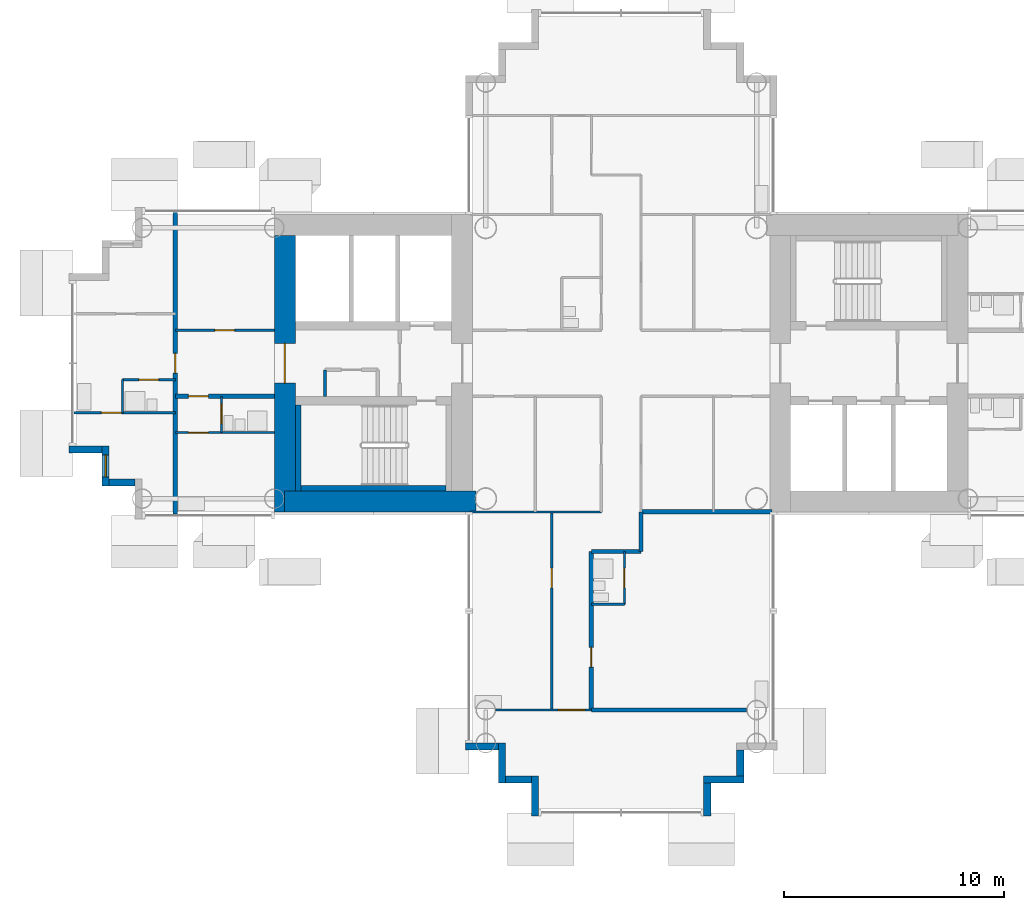
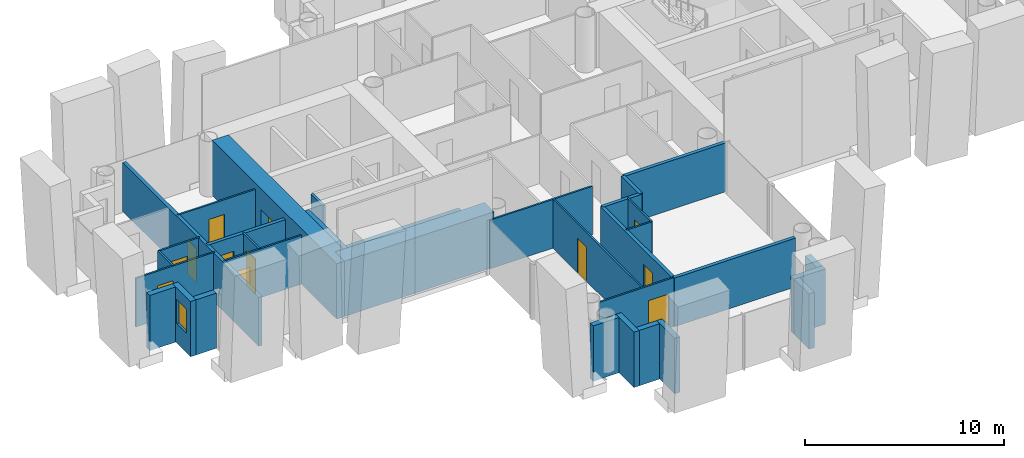
# One storey, part 8 of 21: 33 walls, 12 doors, 1 window, 13 openings.
"""IFC4 building model written with IfcOpenShell, lengths in metres."""

from ifc_helpers import new_model, si_unit, direction, frame, frame_2d, origin, place, context, subcontext, project, spatial, rectangle, extrude, material, layer, layer_set, type_object, element, fill, save


model = new_model("IFC4")

# Units and contexts
model_context = context("Model", 3, precision=1e-05, world=origin(), true_north=direction((0.0, 1.0)))
body_context = subcontext(model_context, "Body", "Model", "MODEL_VIEW")
ifc_project = project(units=[si_unit("LENGTHUNIT", "METRE"), si_unit("AREAUNIT", "SQUARE_METRE"), si_unit("VOLUMEUNIT", "CUBIC_METRE"), si_unit("PLANEANGLEUNIT", "RADIAN"), si_unit("MASSUNIT", "GRAM", prefix="KILO")], contexts=[model_context])

# Site, building, storey
site_placement = place(None, origin())
site = spatial("IfcSite", under=ifc_project, at=site_placement, CompositionType="ELEMENT")
building_placement = place(site_placement, origin())
building = spatial("IfcBuilding", under=site, at=building_placement, Name="Ipe Terrace Towers", CompositionType="ELEMENT")
storey_placement = place(building_placement, frame((0.0, 0.0, 114.0)))
storey = spatial("IfcBuildingStorey", under=building, at=storey_placement, Name="L31", CompositionType="ELEMENT", Elevation=114.0)

# Wall
ifc_material_1 = material(Name="Concrete C40/50 with buff precast cladding", Category="concrete")
ifc_layer_1 = layer(ifc_material_1, 0.320068359375)
ifc_layer_set_1 = layer_set([ifc_layer_1], Name="BUFF CLADDING WALL 320")
wall_type_1 = type_object("IfcWallType", Name="BUFF CLADDING WALL 320", PredefinedType="STANDARD", material=ifc_layer_set_1)
wall_1_placement = place(storey_placement, frame((-61.070068359375, -3.909912109375, -0.300048828125), z_axis=(0.0, 0.0, 1.0), x_axis=(1.0, 0.0, 0.0)))
element("IfcWall", 1, at=wall_1_placement, inside=storey, type_object=wall_type_1, Name="T1-W-L31-00a wall", PredefinedType="STANDARD", context=body_context, shape_type="SweptSolid", body=[
    extrude(rectangle(XDim=1.5, YDim=0.320068359375, at=frame_2d((0.75, 0.0))), origin(), (0.0, 0.0, 1.0), 3.400146484375),
])

# Wall, opening, window
wall_2_placement = place(storey_placement, frame((-59.409912109375, -3.75, -0.300048828125), z_axis=(0.0, 0.0, 1.0), x_axis=(0.0, -1.0, 0.0)))
wall_2 = element("IfcWall", 2, at=wall_2_placement, inside=storey, type_object=wall_type_1, Name="T1-W-L31-01a wall", PredefinedType="STANDARD", context=body_context, shape_type="SweptSolid", body=[
    extrude(rectangle(XDim=1.820068359375, YDim=0.320068359375, at=frame_2d((0.91015625, 0.0))), origin(), (0.0, 0.0, 1.0), 3.400146484375),
])
opening_1_placement = place(wall_2_placement, frame((0.409912109375, 0.0, 1.199951171875)))
opening_1 = element("IfcOpeningElement", 3, at=opening_1_placement, cuts=wall_2, Name="Opening T1-W-05-L31-01", PredefinedType="OPENING", context=body_context, shape_type="SweptSolid", body=[
    extrude(rectangle(XDim=1.0, YDim=1.5, at=frame_2d((0.5, 0.75))), frame((0.0, 0.169921875, 0.0), z_axis=(0.0, -1.0, 0.0), x_axis=(1.0, 0.0, 0.0)), (0.0, 0.0, 1.0), 0.340087890625),
])
ifc_material_2 = material(Name="Glass, clear laminated", Category="glass")
window_type = type_object("IfcWindowType", Name="DWELLING WINDOW 1000 x 1500", PartitioningType="SINGLE_PANEL", PredefinedType="WINDOW", material=ifc_material_2)
window_placement = place(opening_1_placement, origin())
window = element("IfcWindow", 4, at=window_placement, inside=storey, type_object=window_type, Name="W-05 window", OverallHeight=1.5, OverallWidth=1.0, PartitioningType="SINGLE_PANEL", PredefinedType="WINDOW", context=body_context, shape_type="SweptSolid", body=[
    extrude(rectangle(XDim=1.0, YDim=1.5, at=frame_2d((0.5, 0.75))), frame((0.0, 0.030029296875, 0.0), z_axis=(0.0, -1.0, 0.0), x_axis=(1.0, 0.0, 0.0)), (0.0, 0.0, 1.0), 0.06005859375),
])
fill(opening_1, window)

# Walls
wall_3_placement = place(storey_placement, frame((-59.25, -5.409912109375, -0.300048828125), z_axis=(0.0, 0.0, 1.0), x_axis=(1.0, 0.0, 0.0)))
element("IfcWall", 5, at=wall_3_placement, inside=storey, type_object=wall_type_1, Name="T1-W-L31-02a wall", PredefinedType="STANDARD", context=body_context, shape_type="SweptSolid", body=[
    extrude(rectangle(XDim=1.179931640625, YDim=0.320068359375, at=frame_2d((0.58984375, 0.0))), origin(), (0.0, 0.0, 1.0), 3.400146484375),
])
wall_4_placement = place(storey_placement, frame((-43.070068359375, -17.409912109375, -0.300048828125), z_axis=(0.0, 0.0, 1.0), x_axis=(1.0, 0.0, 0.0)))
element("IfcWall", 6, at=wall_4_placement, inside=storey, type_object=wall_type_1, Name="T1-W-L31-08a wall", PredefinedType="STANDARD", context=body_context, shape_type="SweptSolid", body=[
    extrude(rectangle(XDim=1.5, YDim=0.320068359375, at=frame_2d((0.75, 0.0))), origin(), (0.0, 0.0, 1.0), 3.400146484375),
])
wall_5_placement = place(storey_placement, frame((-41.409912109375, -17.25, -0.300048828125), z_axis=(0.0, 0.0, 1.0), x_axis=(0.0, -1.0, 0.0)))
element("IfcWall", 7, at=wall_5_placement, inside=storey, type_object=wall_type_1, Name="T1-W-L31-09a wall", PredefinedType="STANDARD", context=body_context, shape_type="SweptSolid", body=[
    extrude(rectangle(XDim=1.820068359375, YDim=0.320068359375, at=frame_2d((0.91015625, 0.0))), origin(), (0.0, 0.0, 1.0), 3.400146484375),
])
wall_6_placement = place(storey_placement, frame((-41.25, -18.909912109375, -0.300048828125), z_axis=(0.0, 0.0, 1.0), x_axis=(1.0, 0.0, 0.0)))
element("IfcWall", 8, at=wall_6_placement, inside=storey, type_object=wall_type_1, Name="T1-W-L31-10a wall", PredefinedType="STANDARD", context=body_context, shape_type="SweptSolid", body=[
    extrude(rectangle(XDim=1.179931640625, YDim=0.320068359375, at=frame_2d((0.58984375, 0.0))), origin(), (0.0, 0.0, 1.0), 3.400146484375),
])
wall_7_placement = place(storey_placement, frame((-39.909912109375, -18.75, -0.300048828125), z_axis=(0.0, 0.0, 1.0), x_axis=(0.0, -1.0, 0.0)))
element("IfcWall", 9, at=wall_7_placement, inside=storey, type_object=wall_type_1, Name="T1-W-L31-11a wall", PredefinedType="STANDARD", context=body_context, shape_type="SweptSolid", body=[
    extrude(rectangle(XDim=1.820068359375, YDim=0.320068359375, at=frame_2d((0.91015625, 0.0))), origin(), (0.0, 0.0, 1.0), 3.400146484375),
])
wall_8_placement = place(storey_placement, frame((-32.090087890625, -20.570068359375, -0.300048828125), z_axis=(0.0, 0.0, 1.0), x_axis=(0.0, 1.0, 0.0)))
element("IfcWall", 10, at=wall_8_placement, inside=storey, type_object=wall_type_1, Name="T1-W-L31-13a wall", PredefinedType="STANDARD", context=body_context, shape_type="SweptSolid", body=[
    extrude(rectangle(XDim=1.5, YDim=0.320068359375, at=frame_2d((0.75, 0.0))), origin(), (0.0, 0.0, 1.0), 3.400146484375),
])
wall_9_placement = place(storey_placement, frame((-32.25, -18.909912109375, -0.300048828125), z_axis=(0.0, 0.0, 1.0), x_axis=(1.0, 0.0, 0.0)))
element("IfcWall", 11, at=wall_9_placement, inside=storey, type_object=wall_type_1, Name="T1-W-L31-14a wall", PredefinedType="STANDARD", context=body_context, shape_type="SweptSolid", body=[
    extrude(rectangle(XDim=1.820068359375, YDim=0.320068359375, at=frame_2d((0.91015625, 0.0))), origin(), (0.0, 0.0, 1.0), 3.400146484375),
])
wall_10_placement = place(storey_placement, frame((-30.590087890625, -18.75, -0.300048828125), z_axis=(0.0, 0.0, 1.0), x_axis=(0.0, 1.0, 0.0)))
element("IfcWall", 12, at=wall_10_placement, inside=storey, type_object=wall_type_1, Name="T1-W-L31-15a wall", PredefinedType="STANDARD", context=body_context, shape_type="SweptSolid", body=[
    extrude(rectangle(XDim=1.179931640625, YDim=0.320068359375, at=frame_2d((0.58984375, 0.0))), origin(), (0.0, 0.0, 1.0), 3.400146484375),
])
ifc_material_3 = material(Name="Gypsum board partition", Category="plasterboard")
ifc_layer_2 = layer(ifc_material_3, 0.10009765625)
ifc_layer_set_2 = layer_set([ifc_layer_2], Name="Gypsum board partition 100 mm")
wall_type_2 = type_object("IfcWallType", Name="Gypsum board partition 100 mm", PredefinedType="PARTITIONING", material=ifc_layer_set_2)
wall_11_placement = place(storey_placement, frame((-58.64990234375, -2.25, 0.0), z_axis=(0.0, 0.0, 1.0), x_axis=(0.0, 1.0, 0.0)))
element("IfcWall", 13, at=wall_11_placement, inside=storey, type_object=wall_type_2, Name="Gypsum board partition T1 L31 W01", PredefinedType="PARTITIONING", context=body_context, shape_type="SweptSolid", body=[
    extrude(rectangle(XDim=1.5, YDim=0.10009765625, at=frame_2d((0.75, 0.0))), origin(), (0.0, 0.0, 1.0), 3.0),
])

# Wall, opening, door
wall_12_placement = place(storey_placement, frame((-54.14990234375, -3.14990234375, 0.0), z_axis=(0.0, 0.0, 1.0), x_axis=(0.0, 1.0, 0.0)))
wall_12 = element("IfcWall", 14, at=wall_12_placement, inside=storey, type_object=wall_type_2, Name="Gypsum board partition T1 L31 W03", PredefinedType="PARTITIONING", context=body_context, shape_type="SweptSolid", body=[
    extrude(rectangle(XDim=1.64990234375, YDim=0.10009765625, at=frame_2d((0.824951171875, 0.0))), origin(), (0.0, 0.0, 1.0), 3.0),
])
opening_2_placement = place(wall_12_placement, frame((0.39990234375, 0.0, 0.0)))
opening_2 = element("IfcOpeningElement", 15, at=opening_2_placement, cuts=wall_12, Name="Opening T1-Z2F-24", PredefinedType="OPENING", context=body_context, shape_type="SweptSolid", body=[
    extrude(rectangle(XDim=0.89990234375, YDim=2.10009765625, at=frame_2d((0.449951171875, 1.050048828125))), frame((0.0, 0.06005859375, 0.0), z_axis=(0.0, -1.0, 0.0), x_axis=(1.0, 0.0, 0.0)), (0.0, 0.0, 1.0), 0.1201171875),
])
ifc_material_4 = material(Name="Timber door leaf", Category="wood")
door_type_1 = type_object("IfcDoorType", Name="Bathroom door 900 x 2100", OperationType="NOTDEFINED", PredefinedType="DOOR", material=ifc_material_4)
door_1_placement = place(opening_2_placement, origin())
door_1 = element("IfcDoor", 16, at=door_1_placement, inside=storey, type_object=door_type_1, Name="Bathroom door T1-Z2F-24", OperationType="SINGLE_SWING_RIGHT", OverallHeight=2.10009765625, OverallWidth=0.89990234375, PredefinedType="DOOR", context=body_context, shape_type="SweptSolid", body=[
    extrude(rectangle(XDim=0.89990234375, YDim=2.10009765625, at=frame_2d((0.449951171875, 1.050048828125))), frame((0.0, 0.02490234375, 0.0), z_axis=(0.0, -1.0, 0.0), x_axis=(1.0, 0.0, 0.0)), (0.0, 0.0, 1.0), 0.050048828125),
])
fill(opening_2, door_1)

wall_13_placement = place(storey_placement, frame((-39.14990234375, -15.75, 0.0), z_axis=(0.0, 0.0, 1.0), x_axis=(0.0, 1.0, 0.0)))
wall_13 = element("IfcWall", 17, at=wall_13_placement, inside=storey, type_object=wall_type_2, Name="Gypsum board partition T1 L31 W05", PredefinedType="PARTITIONING", context=body_context, shape_type="SweptSolid", body=[
    extrude(rectangle(XDim=9.0, YDim=0.10009765625, at=frame_2d((4.5, 0.0))), origin(), (0.0, 0.0, 1.0), 3.0),
])
opening_3_placement = place(wall_13_placement, frame((5.550048828125, 0.0, 0.0)))
opening_3 = element("IfcOpeningElement", 18, at=opening_3_placement, cuts=wall_13, Name="Opening T1-Z2F-14", PredefinedType="OPENING", context=body_context, shape_type="SweptSolid", body=[
    extrude(rectangle(XDim=0.89990234375, YDim=2.10009765625, at=frame_2d((0.449951171875, 1.050048828125))), frame((0.0, 0.06005859375, 0.0), z_axis=(0.0, -1.0, 0.0), x_axis=(1.0, 0.0, 0.0)), (0.0, 0.0, 1.0), 0.1201171875),
])
ifc_material_5 = material(Name="Timber door leaf", Category="wood")
door_type_2 = type_object("IfcDoorType", Name="Lounge door 900 x 2100", OperationType="NOTDEFINED", PredefinedType="DOOR", material=ifc_material_5)
door_2_placement = place(opening_3_placement, origin())
door_2 = element("IfcDoor", 19, at=door_2_placement, inside=storey, type_object=door_type_2, Name="Lounge door T1-Z2F-14", OperationType="SINGLE_SWING_LEFT", OverallHeight=2.10009765625, OverallWidth=0.89990234375, PredefinedType="DOOR", context=body_context, shape_type="SweptSolid", body=[
    extrude(rectangle(XDim=0.89990234375, YDim=2.10009765625, at=frame_2d((0.449951171875, 1.050048828125))), frame((0.0, 0.02490234375, 0.0), z_axis=(0.0, -1.0, 0.0), x_axis=(1.0, 0.0, 0.0)), (0.0, 0.0, 1.0), 0.050048828125),
])
fill(opening_3, door_2)

wall_14_placement = place(storey_placement, frame((-35.85009765625, -10.949951171875, 0.0), z_axis=(0.0, 0.0, 1.0), x_axis=(0.0, 1.0, 0.0)))
wall_14 = element("IfcWall", 20, at=wall_14_placement, inside=storey, type_object=wall_type_2, Name="Gypsum board partition T1 L31 W12", PredefinedType="PARTITIONING", context=body_context, shape_type="SweptSolid", body=[
    extrude(rectangle(XDim=2.39990234375, YDim=0.10009765625, at=frame_2d((1.199951171875, 0.0))), origin(), (0.0, 0.0, 1.0), 3.0),
])
opening_4_placement = place(wall_14_placement, frame((0.75, 0.0, 0.0)))
opening_4 = element("IfcOpeningElement", 21, at=opening_4_placement, cuts=wall_14, Name="Opening T1-Z2F-13", PredefinedType="OPENING", context=body_context, shape_type="SweptSolid", body=[
    extrude(rectangle(XDim=0.89990234375, YDim=2.10009765625, at=frame_2d((0.449951171875, 1.050048828125))), frame((0.0, 0.06005859375, 0.0), z_axis=(0.0, -1.0, 0.0), x_axis=(1.0, 0.0, 0.0)), (0.0, 0.0, 1.0), 0.1201171875),
])
door_3_placement = place(opening_4_placement, origin())
door_3 = element("IfcDoor", 22, at=door_3_placement, inside=storey, type_object=door_type_1, Name="Bathroom door T1-Z2F-13", OperationType="SINGLE_SWING_LEFT", OverallHeight=2.10009765625, OverallWidth=0.89990234375, PredefinedType="DOOR", context=body_context, shape_type="SweptSolid", body=[
    extrude(rectangle(XDim=0.89990234375, YDim=2.10009765625, at=frame_2d((0.449951171875, 1.050048828125))), frame((0.0, 0.02490234375, 0.0), z_axis=(0.0, -1.0, 0.0), x_axis=(1.0, 0.0, 0.0)), (0.0, 0.0, 1.0), 0.050048828125),
])
fill(opening_4, door_3)

wall_15_placement = place(storey_placement, frame((-41.699951171875, -15.75, 0.0), z_axis=(0.0, 0.0, 1.0), x_axis=(1.0, 0.0, 0.0)))
wall_15 = element("IfcWall", 23, at=wall_15_placement, inside=storey, type_object=wall_type_2, Name="Gypsum board partition T1 L31 W23", PredefinedType="PARTITIONING", context=body_context, shape_type="SweptSolid", body=[
    extrude(rectangle(XDim=4.349853515625, YDim=0.10009765625, at=frame_2d((2.1748046875, 0.0))), origin(), (0.0, 0.0, 1.0), 3.0),
])
opening_5_placement = place(wall_15_placement, frame((2.85009765625, 0.0, 0.0)))
opening_5 = element("IfcOpeningElement", 24, at=opening_5_placement, cuts=wall_15, Name="Opening T1-Z2F-15", PredefinedType="OPENING", context=body_context, shape_type="SweptSolid", body=[
    extrude(rectangle(XDim=1.199951171875, YDim=2.10009765625, at=frame_2d((0.60009765625, 1.050048828125))), frame((0.0, 0.06005859375, 0.0), z_axis=(0.0, -1.0, 0.0), x_axis=(1.0, 0.0, 0.0)), (0.0, 0.0, 1.0), 0.1201171875),
])
ifc_material_6 = material(Name="Timber door leaf", Category="wood")
door_type_3 = type_object("IfcDoorType", Name="Lounge door 1200 x 2100", OperationType="NOTDEFINED", PredefinedType="DOOR", material=ifc_material_6)
door_4_placement = place(opening_5_placement, origin())
door_4 = element("IfcDoor", 25, at=door_4_placement, inside=storey, type_object=door_type_3, Name="Lounge door T1-Z2F-15", OperationType="SINGLE_SWING_RIGHT", OverallHeight=2.10009765625, OverallWidth=1.199951171875, PredefinedType="DOOR", context=body_context, shape_type="SweptSolid", body=[
    extrude(rectangle(XDim=1.199951171875, YDim=2.10009765625, at=frame_2d((0.60009765625, 1.050048828125))), frame((0.0, 0.02490234375, 0.0), z_axis=(0.0, -1.0, 0.0), x_axis=(1.0, 0.0, 0.0)), (0.0, 0.0, 1.0), 0.050048828125),
])
fill(opening_5, door_4)

# Walls
wall_16_placement = place(storey_placement, frame((-37.35009765625, -10.949951171875, 0.0), z_axis=(0.0, 0.0, 1.0), x_axis=(1.0, 0.0, 0.0)))
element("IfcWall", 26, at=wall_16_placement, inside=storey, type_object=wall_type_2, Name="Gypsum board partition T1 L31 W25", PredefinedType="PARTITIONING", context=body_context, shape_type="SweptSolid", body=[
    extrude(rectangle(XDim=1.5, YDim=0.10009765625, at=frame_2d((0.75, 0.0))), origin(), (0.0, 0.0, 1.0), 3.0),
])
wall_17_placement = place(storey_placement, frame((-42.85009765625, -6.75, 0.0), z_axis=(0.0, 0.0, 1.0), x_axis=(1.0, 0.0, 0.0)))
element("IfcWall", 27, at=wall_17_placement, inside=storey, type_object=wall_type_2, Name="Gypsum board partition T1 L31 W27", PredefinedType="PARTITIONING", context=body_context, shape_type="SweptSolid", body=[
    extrude(rectangle(XDim=5.9501953125, YDim=0.10009765625, at=frame_2d((2.97509765625, 0.0))), origin(), (0.0, 0.0, 1.0), 3.0),
])

# Wall, opening, door
wall_18_placement = place(storey_placement, frame((-56.25, -3.14990234375, 0.0), z_axis=(0.0, 0.0, 1.0), x_axis=(1.0, 0.0, 0.0)))
wall_18 = element("IfcWall", 28, at=wall_18_placement, inside=storey, type_object=wall_type_2, Name="Gypsum board partition T1 L31 W29", PredefinedType="PARTITIONING", context=body_context, shape_type="SweptSolid", body=[
    extrude(rectangle(XDim=4.5, YDim=0.10009765625, at=frame_2d((2.25, 0.0))), origin(), (0.0, 0.0, 1.0), 3.0),
])
opening_6_placement = place(wall_18_placement, frame((0.60009765625, 0.0, 0.0)))
opening_6 = element("IfcOpeningElement", 29, at=opening_6_placement, cuts=wall_18, Name="Opening T1-Z2F-23", PredefinedType="OPENING", context=body_context, shape_type="SweptSolid", body=[
    extrude(rectangle(XDim=0.89990234375, YDim=2.10009765625, at=frame_2d((0.449951171875, 1.050048828125))), frame((0.0, 0.06005859375, 0.0), z_axis=(0.0, -1.0, 0.0), x_axis=(1.0, 0.0, 0.0)), (0.0, 0.0, 1.0), 0.1201171875),
])
ifc_material_7 = material(Name="Timber door leaf", Category="wood")
door_type_4 = type_object("IfcDoorType", Name="Bedroom door 900 x 2100", OperationType="NOTDEFINED", PredefinedType="DOOR", material=ifc_material_7)
door_5_placement = place(opening_6_placement, origin())
door_5 = element("IfcDoor", 30, at=door_5_placement, inside=storey, type_object=door_type_4, Name="Bedroom door T1-Z2F-23", OperationType="SINGLE_SWING_LEFT", OverallHeight=2.10009765625, OverallWidth=0.89990234375, PredefinedType="DOOR", context=body_context, shape_type="SweptSolid", body=[
    extrude(rectangle(XDim=0.89990234375, YDim=2.10009765625, at=frame_2d((0.449951171875, 1.050048828125))), frame((0.0, 0.02490234375, 0.0), z_axis=(0.0, -1.0, 0.0), x_axis=(1.0, 0.0, 0.0)), (0.0, 0.0, 1.0), 0.050048828125),
])
fill(opening_6, door_5)

wall_19_placement = place(storey_placement, frame((-60.85009765625, -2.25, 0.0), z_axis=(0.0, 0.0, 1.0), x_axis=(1.0, 0.0, 0.0)))
wall_19 = element("IfcWall", 31, at=wall_19_placement, inside=storey, type_object=wall_type_2, Name="Gypsum board partition T1 L31 W31", PredefinedType="PARTITIONING", context=body_context, shape_type="SweptSolid", body=[
    extrude(rectangle(XDim=4.60009765625, YDim=0.10009765625, at=frame_2d((2.300048828125, 0.0))), origin(), (0.0, 0.0, 1.0), 3.0),
])
opening_7_placement = place(wall_19_placement, frame((1.25, 0.0, 0.0)))
opening_7 = element("IfcOpeningElement", 32, at=opening_7_placement, cuts=wall_19, Name="Opening T1-Z2F-28", PredefinedType="OPENING", context=body_context, shape_type="SweptSolid", body=[
    extrude(rectangle(XDim=0.89990234375, YDim=2.10009765625, at=frame_2d((0.449951171875, 1.050048828125))), frame((0.0, 0.06005859375, 0.0), z_axis=(0.0, -1.0, 0.0), x_axis=(1.0, 0.0, 0.0)), (0.0, 0.0, 1.0), 0.1201171875),
])
door_6_placement = place(opening_7_placement, origin())
door_6 = element("IfcDoor", 33, at=door_6_placement, inside=storey, type_object=door_type_4, Name="Bedroom door T1-Z2F-28", OperationType="SINGLE_SWING_LEFT", OverallHeight=2.10009765625, OverallWidth=0.89990234375, PredefinedType="DOOR", context=body_context, shape_type="SweptSolid", body=[
    extrude(rectangle(XDim=0.89990234375, YDim=2.10009765625, at=frame_2d((0.449951171875, 1.050048828125))), frame((0.0, 0.02490234375, 0.0), z_axis=(0.0, -1.0, 0.0), x_axis=(1.0, 0.0, 0.0)), (0.0, 0.0, 1.0), 0.050048828125),
])
fill(opening_7, door_6)

wall_20_placement = place(storey_placement, frame((-58.64990234375, -0.75, 0.0), z_axis=(0.0, 0.0, 1.0), x_axis=(1.0, 0.0, 0.0)))
wall_20 = element("IfcWall", 34, at=wall_20_placement, inside=storey, type_object=wall_type_2, Name="Gypsum board partition T1 L31 W36", PredefinedType="PARTITIONING", context=body_context, shape_type="SweptSolid", body=[
    extrude(rectangle(XDim=2.39990234375, YDim=0.10009765625, at=frame_2d((1.199951171875, 0.0))), origin(), (0.0, 0.0, 1.0), 3.0),
])
opening_8_placement = place(wall_20_placement, frame((0.75, 0.0, 0.0)))
opening_8 = element("IfcOpeningElement", 35, at=opening_8_placement, cuts=wall_20, Name="Opening T1-Z2F-26", PredefinedType="OPENING", context=body_context, shape_type="SweptSolid", body=[
    extrude(rectangle(XDim=0.89990234375, YDim=2.10009765625, at=frame_2d((0.449951171875, 1.050048828125))), frame((0.0, 0.06005859375, 0.0), z_axis=(0.0, -1.0, 0.0), x_axis=(1.0, 0.0, 0.0)), (0.0, 0.0, 1.0), 0.1201171875),
])
door_7_placement = place(opening_8_placement, origin())
door_7 = element("IfcDoor", 36, at=door_7_placement, inside=storey, type_object=door_type_1, Name="Bathroom door T1-Z2F-26", OperationType="SINGLE_SWING_RIGHT", OverallHeight=2.10009765625, OverallWidth=0.89990234375, PredefinedType="DOOR", context=body_context, shape_type="SweptSolid", body=[
    extrude(rectangle(XDim=0.89990234375, YDim=2.10009765625, at=frame_2d((0.449951171875, 1.050048828125))), frame((0.0, 0.02490234375, 0.0), z_axis=(0.0, -1.0, 0.0), x_axis=(1.0, 0.0, 0.0)), (0.0, 0.0, 1.0), 0.050048828125),
])
fill(opening_8, door_7)

wall_21_placement = place(storey_placement, frame((-56.25, 1.5, 0.0), z_axis=(0.0, 0.0, 1.0), x_axis=(1.0, 0.0, 0.0)))
wall_21 = element("IfcWall", 37, at=wall_21_placement, inside=storey, type_object=wall_type_2, Name="Gypsum board partition T1 L31 W37", PredefinedType="PARTITIONING", context=body_context, shape_type="SweptSolid", body=[
    extrude(rectangle(XDim=4.5, YDim=0.10009765625, at=frame_2d((2.25, 0.0))), origin(), (0.0, 0.0, 1.0), 3.0),
])
opening_9_placement = place(wall_21_placement, frame((1.800048828125, 0.0, 0.0)))
opening_9 = element("IfcOpeningElement", 38, at=opening_9_placement, cuts=wall_21, Name="Opening T1-Z2F-25", PredefinedType="OPENING", context=body_context, shape_type="SweptSolid", body=[
    extrude(rectangle(XDim=0.89990234375, YDim=2.10009765625, at=frame_2d((0.449951171875, 1.050048828125))), frame((0.0, 0.06005859375, 0.0), z_axis=(0.0, -1.0, 0.0), x_axis=(1.0, 0.0, 0.0)), (0.0, 0.0, 1.0), 0.1201171875),
])
door_8_placement = place(opening_9_placement, origin())
door_8 = element("IfcDoor", 39, at=door_8_placement, inside=storey, type_object=door_type_2, Name="Lounge door T1-Z2F-25", OperationType="SINGLE_SWING_LEFT", OverallHeight=2.10009765625, OverallWidth=0.89990234375, PredefinedType="DOOR", context=body_context, shape_type="SweptSolid", body=[
    extrude(rectangle(XDim=0.89990234375, YDim=2.10009765625, at=frame_2d((0.449951171875, 1.050048828125))), frame((0.0, 0.02490234375, 0.0), z_axis=(0.0, -1.0, 0.0), x_axis=(1.0, 0.0, 0.0)), (0.0, 0.0, 1.0), 0.050048828125),
])
fill(opening_9, door_8)

# Wall
ifc_material_8 = material(Name="Gypsum board partition", Category="plasterboard")
ifc_layer_3 = layer(ifc_material_8, 0.14990234375)
ifc_layer_set_3 = layer_set([ifc_layer_3], Name="Gypsum board partition 150 mm")
wall_type_3 = type_object("IfcWallType", Name="Gypsum board partition 150 mm", PredefinedType="PARTITIONING", material=ifc_layer_set_3)
wall_22_placement = place(storey_placement, frame((-49.449951171875, -0.300048828125, 0.0), z_axis=(0.0, 0.0, 1.0), x_axis=(0.0, -1.0, 0.0)))
element("IfcWall", 40, at=wall_22_placement, inside=storey, type_object=wall_type_3, Name="Gypsum board partition T1 L31 t1c2-cup-n-b", PredefinedType="PARTITIONING", context=body_context, shape_type="SweptSolid", body=[
    extrude(rectangle(XDim=1.199951171875, YDim=0.14990234375, at=frame_2d((0.60009765625, 0.0))), origin(), (0.0, 0.0, 1.0), 3.0),
])

# Wall, opening, door
ifc_material_9 = material(Name="Gypsum board party wall", Category="plasterboard")
ifc_layer_4 = layer(ifc_material_9, 0.199951171875)
ifc_layer_set_4 = layer_set([ifc_layer_4], Name="Gypsum board party wall 200 mm")
wall_type_4 = type_object("IfcWallType", Name="Gypsum board party wall 200 mm", PredefinedType="SOLIDWALL", material=ifc_layer_set_4)
wall_23_placement = place(storey_placement, frame((-56.25, -6.85009765625, 0.0), z_axis=(0.0, 0.0, 1.0), x_axis=(0.0, 1.0, 0.0)))
wall_23 = element("IfcWall", 41, at=wall_23_placement, inside=storey, type_object=wall_type_4, Name="Gypsum board party wall T1 L31 W02", PredefinedType="SOLIDWALL", context=body_context, shape_type="SweptSolid", body=[
    extrude(rectangle(XDim=13.7001953125, YDim=0.199951171875, at=frame_2d((6.85009765625, 0.0))), origin(), (0.0, 0.0, 1.0), 3.0),
])
opening_10_placement = place(wall_23_placement, frame((6.39990234375, 0.0, 0.0)))
opening_10 = element("IfcOpeningElement", 42, at=opening_10_placement, cuts=wall_23, Name="Opening T1-Z2F-27", PredefinedType="OPENING", context=body_context, shape_type="SweptSolid", body=[
    extrude(rectangle(XDim=0.89990234375, YDim=2.10009765625, at=frame_2d((0.449951171875, 1.050048828125))), frame((0.0, 0.10986328125, 0.0), z_axis=(0.0, -1.0, 0.0), x_axis=(1.0, 0.0, 0.0)), (0.0, 0.0, 1.0), 0.219970703125),
])
ifc_material_10 = material(Name="Fire-rated timber door leaf", Category="wood")
door_type_5 = type_object("IfcDoorType", Name="Flat entrance door 900 x 2100 FD30S", OperationType="NOTDEFINED", PredefinedType="DOOR", material=ifc_material_10)
door_9_placement = place(opening_10_placement, origin())
door_9 = element("IfcDoor", 43, at=door_9_placement, inside=storey, type_object=door_type_5, Name="Flat entrance door T1-Z2F-27", OperationType="SINGLE_SWING_LEFT", OverallHeight=2.10009765625, OverallWidth=0.89990234375, PredefinedType="DOOR", context=body_context, shape_type="SweptSolid", body=[
    extrude(rectangle(XDim=0.89990234375, YDim=2.10009765625, at=frame_2d((0.449951171875, 1.050048828125))), frame((0.0, 0.02490234375, 0.0), z_axis=(0.0, -1.0, 0.0), x_axis=(1.0, 0.0, 0.0)), (0.0, 0.0, 1.0), 0.050048828125),
])
fill(opening_10, door_9)

wall_24_placement = place(storey_placement, frame((-37.35009765625, -15.75, 0.0), z_axis=(0.0, 0.0, 1.0), x_axis=(0.0, 1.0, 0.0)))
wall_24 = element("IfcWall", 44, at=wall_24_placement, inside=storey, type_object=wall_type_4, Name="Gypsum board party wall T1 L31 W09", PredefinedType="SOLIDWALL", context=body_context, shape_type="SweptSolid", body=[
    extrude(rectangle(XDim=7.199951171875, YDim=0.199951171875, at=frame_2d((3.60009765625, 0.0))), origin(), (0.0, 0.0, 1.0), 3.0),
])
opening_11_placement = place(wall_24_placement, frame((1.949951171875, 0.0, 0.0)))
opening_11 = element("IfcOpeningElement", 45, at=opening_11_placement, cuts=wall_24, Name="Opening T1-Z2F-12", PredefinedType="OPENING", context=body_context, shape_type="SweptSolid", body=[
    extrude(rectangle(XDim=0.89990234375, YDim=2.10009765625, at=frame_2d((0.449951171875, 1.050048828125))), frame((0.0, 0.10986328125, 0.0), z_axis=(0.0, -1.0, 0.0), x_axis=(1.0, 0.0, 0.0)), (0.0, 0.0, 1.0), 0.219970703125),
])
door_10_placement = place(opening_11_placement, origin())
door_10 = element("IfcDoor", 46, at=door_10_placement, inside=storey, type_object=door_type_5, Name="Flat entrance door T1-Z2F-12", OperationType="SINGLE_SWING_LEFT", OverallHeight=2.10009765625, OverallWidth=0.89990234375, PredefinedType="DOOR", context=body_context, shape_type="SweptSolid", body=[
    extrude(rectangle(XDim=0.89990234375, YDim=2.10009765625, at=frame_2d((0.449951171875, 1.050048828125))), frame((0.0, 0.02490234375, 0.0), z_axis=(0.0, -1.0, 0.0), x_axis=(1.0, 0.0, 0.0)), (0.0, 0.0, 1.0), 0.050048828125),
])
fill(opening_11, door_10)

# Walls
wall_25_placement = place(storey_placement, frame((-35.10009765625, -8.550048828125, 0.0), z_axis=(0.0, 0.0, 1.0), x_axis=(0.0, 1.0, 0.0)))
element("IfcWall", 47, at=wall_25_placement, inside=storey, type_object=wall_type_4, Name="Gypsum board party wall T1 L31 W15", PredefinedType="SOLIDWALL", context=body_context, shape_type="SweptSolid", body=[
    extrude(rectangle(XDim=1.800048828125, YDim=0.199951171875, at=frame_2d((0.89990234375, 0.0))), origin(), (0.0, 0.0, 1.0), 3.0),
])
wall_26_placement = place(storey_placement, frame((-37.35009765625, -15.75, 0.0), z_axis=(0.0, 0.0, 1.0), x_axis=(1.0, 0.0, 0.0)))
element("IfcWall", 48, at=wall_26_placement, inside=storey, type_object=wall_type_4, Name="Gypsum board party wall T1 L31 W24", PredefinedType="SOLIDWALL", context=body_context, shape_type="SweptSolid", body=[
    extrude(rectangle(XDim=7.050048828125, YDim=0.199951171875, at=frame_2d((3.52490234375, 0.0))), origin(), (0.0, 0.0, 1.0), 3.0),
])
wall_27_placement = place(storey_placement, frame((-37.35009765625, -8.550048828125, 0.0), z_axis=(0.0, 0.0, 1.0), x_axis=(1.0, 0.0, 0.0)))
element("IfcWall", 49, at=wall_27_placement, inside=storey, type_object=wall_type_4, Name="Gypsum board party wall T1 L31 W26", PredefinedType="SOLIDWALL", context=body_context, shape_type="SweptSolid", body=[
    extrude(rectangle(XDim=2.25, YDim=0.199951171875, at=frame_2d((1.125, 0.0))), origin(), (0.0, 0.0, 1.0), 3.0),
])
wall_28_placement = place(storey_placement, frame((-35.10009765625, -6.75, 0.0), z_axis=(0.0, 0.0, 1.0), x_axis=(1.0, 0.0, 0.0)))
element("IfcWall", 50, at=wall_28_placement, inside=storey, type_object=wall_type_4, Name="Gypsum board party wall T1 L31 W28", PredefinedType="SOLIDWALL", context=body_context, shape_type="SweptSolid", body=[
    extrude(rectangle(XDim=5.9501953125, YDim=0.199951171875, at=frame_2d((2.97509765625, 0.0))), origin(), (0.0, 0.0, 1.0), 3.0),
])

# Wall, opening, door
wall_29_placement = place(storey_placement, frame((-56.25, -1.5, 0.0), z_axis=(0.0, 0.0, 1.0), x_axis=(1.0, 0.0, 0.0)))
wall_29 = element("IfcWall", 51, at=wall_29_placement, inside=storey, type_object=wall_type_4, Name="Gypsum board party wall T1 L31 W34", PredefinedType="SOLIDWALL", context=body_context, shape_type="SweptSolid", body=[
    extrude(rectangle(XDim=4.5, YDim=0.199951171875, at=frame_2d((2.25, 0.0))), origin(), (0.0, 0.0, 1.0), 3.0),
])
opening_12_placement = place(wall_29_placement, frame((0.60009765625, 0.0, 0.0)))
opening_12 = element("IfcOpeningElement", 52, at=opening_12_placement, cuts=wall_29, Name="Opening T1-Z2F-22", PredefinedType="OPENING", context=body_context, shape_type="SweptSolid", body=[
    extrude(rectangle(XDim=0.89990234375, YDim=2.10009765625, at=frame_2d((0.449951171875, 1.050048828125))), frame((0.0, 0.10986328125, 0.0), z_axis=(0.0, -1.0, 0.0), x_axis=(1.0, 0.0, 0.0)), (0.0, 0.0, 1.0), 0.219970703125),
])
door_11_placement = place(opening_12_placement, origin())
door_11 = element("IfcDoor", 53, at=door_11_placement, inside=storey, type_object=door_type_5, Name="Flat entrance door T1-Z2F-22", OperationType="SINGLE_SWING_LEFT", OverallHeight=2.10009765625, OverallWidth=0.89990234375, PredefinedType="DOOR", context=body_context, shape_type="SweptSolid", body=[
    extrude(rectangle(XDim=0.89990234375, YDim=2.10009765625, at=frame_2d((0.449951171875, 1.050048828125))), frame((0.0, 0.02490234375, 0.0), z_axis=(0.0, -1.0, 0.0), x_axis=(1.0, 0.0, 0.0)), (0.0, 0.0, 1.0), 0.050048828125),
])
fill(opening_12, door_11)

# Walls
ifc_material_11 = material(Name="Concrete C50/60", Category="concrete")
ifc_layer_5 = layer(ifc_material_11, 0.25)
ifc_layer_set_5 = layer_set([ifc_layer_5], Name="RW250 CORE INFILL WALL 250 C50-60")
wall_type_5 = type_object("IfcWallType", Name="RW250 CORE INFILL WALL 250 C50-60", PredefinedType="SHEAR", material=ifc_layer_set_5)
wall_30_placement = place(storey_placement, frame((-50.675048828125, -1.89990234375, 0.0), z_axis=(0.0, 0.0, 1.0), x_axis=(0.0, -1.0, 0.0)))
element("IfcWall", 54, at=wall_30_placement, inside=storey, type_object=wall_type_5, Name="Core infill wall T1-C2-far", PredefinedType="SHEAR", context=body_context, shape_type="SweptSolid", body=[
    extrude(rectangle(XDim=3.900146484375, YDim=0.25, at=frame_2d((1.9501953125, 0.0))), origin(), (0.0, 0.0, 1.0), 3.39990234375),
])
wall_31_placement = place(storey_placement, frame((-43.949951171875, -5.675048828125, 0.0), z_axis=(0.0, 0.0, 1.0), x_axis=(-1.0, 0.0, 0.0)))
element("IfcWall", 55, at=wall_31_placement, inside=storey, type_object=wall_type_5, Name="Core infill wall T1-C2-back", PredefinedType="SHEAR", context=body_context, shape_type="SweptSolid", body=[
    extrude(rectangle(XDim=6.60009765625, YDim=0.25, at=frame_2d((3.300048828125, 0.0))), origin(), (0.0, 0.0, 1.0), 3.39990234375),
])
ifc_material_12 = material(Name="Concrete C50/60", Category="concrete")
ifc_layer_6 = layer(ifc_material_12, 0.949951171875)
ifc_layer_set_6 = layer_set([ifc_layer_6], Name="RW950 CORE WALL 950 C50-60")
wall_type_6 = type_object("IfcWallType", Name="RW950 CORE WALL 950 C50-60", PredefinedType="SHEAR", material=ifc_layer_set_6)
wall_32_placement = place(storey_placement, frame((-51.298095703125, -6.27490234375, 0.0), z_axis=(0.0, 0.0, 1.0), x_axis=(1.0, 0.0, 0.0)))
element("IfcWall", 56, at=wall_32_placement, inside=storey, type_object=wall_type_6, Name="Core wall T1-C2-Z2-W01", PredefinedType="SHEAR", context=body_context, shape_type="SweptSolid", body=[
    extrude(rectangle(XDim=8.696044921875, YDim=0.949951171875, at=frame_2d((4.34814453125, 0.0))), origin(), (0.0, 0.0, 1.0), 3.39990234375),
])

# Wall, opening, door
wall_33_placement = place(storey_placement, frame((-51.27490234375, 5.800048828125, 0.0), z_axis=(0.0, 0.0, 1.0), x_axis=(0.0, -1.0, 0.0)))
wall_33 = element("IfcWall", 57, at=wall_33_placement, inside=storey, type_object=wall_type_6, Name="Core wall T1-C2-Z2-W04", PredefinedType="SHEAR", context=body_context, shape_type="SweptSolid", body=[
    extrude(rectangle(XDim=12.550048828125, YDim=0.949951171875, at=frame_2d((6.27490234375, 0.0))), origin(), (0.0, 0.0, 1.0), 3.39990234375),
])
opening_13_placement = place(wall_33_placement, frame((4.89990234375, 0.0, 0.0)))
opening_13 = element("IfcOpeningElement", 58, at=opening_13_placement, cuts=wall_33, Name="Opening T1C2-FD", PredefinedType="OPENING", context=body_context, shape_type="SweptSolid", body=[
    extrude(rectangle(XDim=1.800048828125, YDim=2.10009765625, at=frame_2d((0.89990234375, 1.050048828125))), frame((0.0, 0.48486328125, 0.0), z_axis=(0.0, -1.0, 0.0), x_axis=(1.0, 0.0, 0.0)), (0.0, 0.0, 1.0), 0.969970703125),
])
ifc_material_13 = material(Name="Fire-rated timber door leaf", Category="wood")
door_type_6 = type_object("IfcDoorType", Name="Fire door 1800 x 2100 FD30S", OperationType="NOTDEFINED", PredefinedType="DOOR", material=ifc_material_13)
door_12_placement = place(opening_13_placement, origin())
door_12 = element("IfcDoor", 59, at=door_12_placement, inside=storey, type_object=door_type_6, Name="Fire door T1C2-FD", OperationType="SINGLE_SWING_LEFT", OverallHeight=2.10009765625, OverallWidth=1.800048828125, PredefinedType="DOOR", context=body_context, shape_type="SweptSolid", body=[
    extrude(rectangle(XDim=1.800048828125, YDim=2.10009765625, at=frame_2d((0.89990234375, 1.050048828125))), frame((0.0, 0.02490234375, 0.0), z_axis=(0.0, -1.0, 0.0), x_axis=(1.0, 0.0, 0.0)), (0.0, 0.0, 1.0), 0.050048828125),
])
fill(opening_13, door_12)

save(model, "model.ifc")
